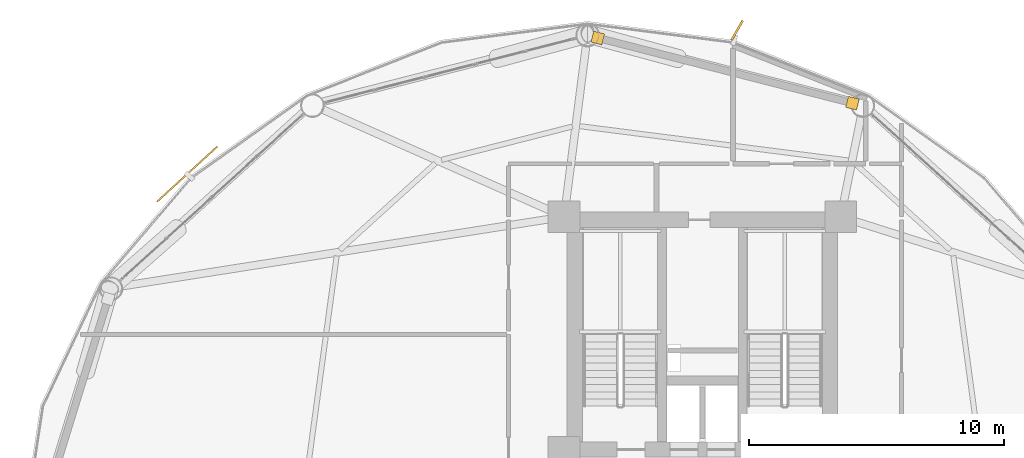
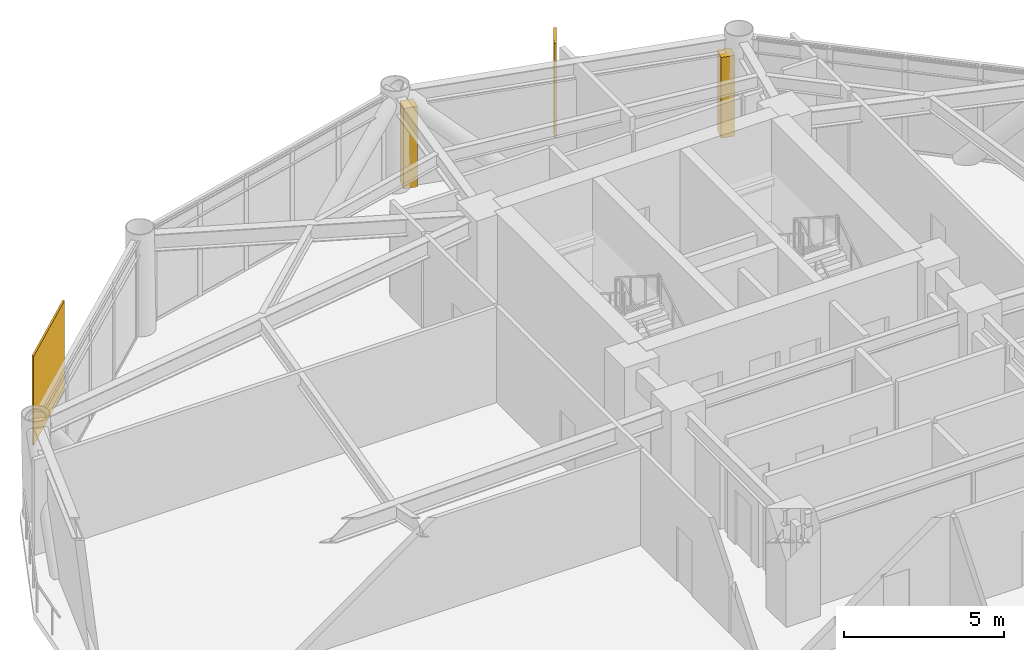
# One storey, part 25 of 25: 2 coverings, 2 shading devices.
"""IFC4 building model written with IfcOpenShell, lengths in metres."""

from ifc_helpers import new_model, si_unit, direction, frame, origin, origin_2d, place, context, subcontext, project, spatial, rectangle, extrude, source, transform, mapped, material, layer, layer_set, type_object, type_shapes, element, save


model = new_model("IFC4")

# Units and contexts
model_context = context("Model", 3, precision=1e-05, world=origin(), true_north=direction((0.0, 1.0)))
body_context = subcontext(model_context, "Body", "Model", "MODEL_VIEW")
ifc_project = project(units=[si_unit("LENGTHUNIT", "METRE"), si_unit("AREAUNIT", "SQUARE_METRE"), si_unit("VOLUMEUNIT", "CUBIC_METRE"), si_unit("PLANEANGLEUNIT", "RADIAN"), si_unit("MASSUNIT", "GRAM", prefix="KILO")], contexts=[model_context])

# Site, building, storey
site_placement = place(None, origin())
site = spatial("IfcSite", under=ifc_project, at=site_placement, CompositionType="ELEMENT")
building_placement = place(site_placement, origin())
building = spatial("IfcBuilding", under=site, at=building_placement, Name="Varnakorn Sky Granary", CompositionType="ELEMENT")
storey_placement = place(building_placement, frame((0.0, 0.0, 70.5)))
storey = spatial("IfcBuildingStorey", under=building, at=storey_placement, Name="L17", CompositionType="ELEMENT", Elevation=70.5)

# Shading device
ifc_material = material(Name="Anodised Bronze Aluminium Alloy 6063-T6", Category="aluminium")
shading_device_type_1 = type_object("IfcShadingDeviceType", Name="SH-FIN-01", PredefinedType="USERDEFINED", material=ifc_material)
shared_shape_1 = source(origin(), body_context, "Body", "SweptSolid", [
    extrude(rectangle(XDim=0.0849609375, YDim=0.8798828125, at=origin_2d()), origin(), (0.0, 0.0, 1.0), 3.60009765625),
])
type_shapes(shading_device_type_1, [shared_shape_1])
shading_device_1_placement = place(storey_placement, frame((4.361083984375, 19.927490234375, -0.0400390625), z_axis=(0.0, 0.0, 1.0), x_axis=(-0.867399534301, 0.497612347008, 0.0)))
element("IfcShadingDevice", 1, at=shading_device_1_placement, inside=storey, type_object=shading_device_type_1, Name="Bronze Solar-Tracking Vertical Blade FIN L17-03", ObjectType="FIN", PredefinedType="USERDEFINED", context=body_context, shape_type="MappedRepresentation", body=[
    mapped(shared_shape_1, transform((0.0, 0.0, 0.0), x_axis=(1.0, 0.0, 0.0), y_axis=(0.0, 1.0, 0.0), z_axis=(0.0, 0.0, 1.0), scale=1.0)),
])

# Coverings
ifc_layer = layer(ifc_material, 0.050048828125, Name="Anodised Bronze Aluminium Alloy 6063-T6")
ifc_layer_set = layer_set([ifc_layer], Name="Anodised Bronze Aluminium Alloy 6063-T6")
covering_type = type_object("IfcCoveringType", Name="CV-CLAD-50", PredefinedType="CLADDING", material=ifc_layer_set)
shared_shape_2 = source(origin(), body_context, "Body", "SweptSolid", [
    extrude(rectangle(XDim=0.43994140625, YDim=0.43994140625, at=origin_2d()), origin(), (0.0, 0.0, 1.0), 3.080078125),
])
type_shapes(covering_type, [shared_shape_2])
for number, where, z_axis, x_axis, name in (
    (2, (-1.100830078125, 19.626708984375, -0.02001953125), (0.0, 0.0, 1.0), (0.968756543371, -0.248013628006, 0.0), "Bronze Corner Pilaster Closure L17-P03-A"),
    (3, (8.88037109375, 17.071044921875, -0.02001953125), (0.0, 0.0, 1.0), (0.968756543371, -0.248013628006, 0.0), "Bronze Corner Pilaster Closure L17-P03-B"),
):
    element("IfcCovering", number, at=place(storey_placement, frame(where, z_axis=z_axis, x_axis=x_axis)), inside=storey, type_object=covering_type, Name=name, PredefinedType="CLADDING", context=body_context, shape_type="MappedRepresentation", body=[
        mapped(shared_shape_2, transform((0.0, 0.0, 0.0), x_axis=(1.0, 0.0, 0.0), y_axis=(0.0, 1.0, 0.0), z_axis=(0.0, 0.0, 1.0), scale=1.0)),
    ])

# Shading device
shading_device_type_2 = type_object("IfcShadingDeviceType", Name="SH-SCR-01", PredefinedType="USERDEFINED", material=ifc_material)
shared_shape_3 = source(origin(), body_context, "Body", "SweptSolid", [
    extrude(rectangle(XDim=3.199951171875, YDim=0.06494140625, at=origin_2d()), origin(), (0.0, 0.0, 1.0), 3.39990234375),
])
type_shapes(shading_device_type_2, [shared_shape_3])
shading_device_2_placement = place(storey_placement, frame((-17.1943359375, 14.288818359375, -0.0400390625), z_axis=(0.0, 0.0, 1.0), x_axis=(-0.738059245272, -0.674735911648, 0.0)))
element("IfcShadingDevice", 4, at=shading_device_2_placement, inside=storey, type_object=shading_device_type_2, Name="Perforated Bronze Solar Screen Panel SCREEN L17-05", ObjectType="SCREEN", PredefinedType="USERDEFINED", context=body_context, shape_type="MappedRepresentation", body=[
    mapped(shared_shape_3, transform((0.0, 0.0, 0.0), x_axis=(1.0, 0.0, 0.0), y_axis=(0.0, 1.0, 0.0), z_axis=(0.0, 0.0, 1.0), scale=1.0)),
])

save(model, "model.ifc")
